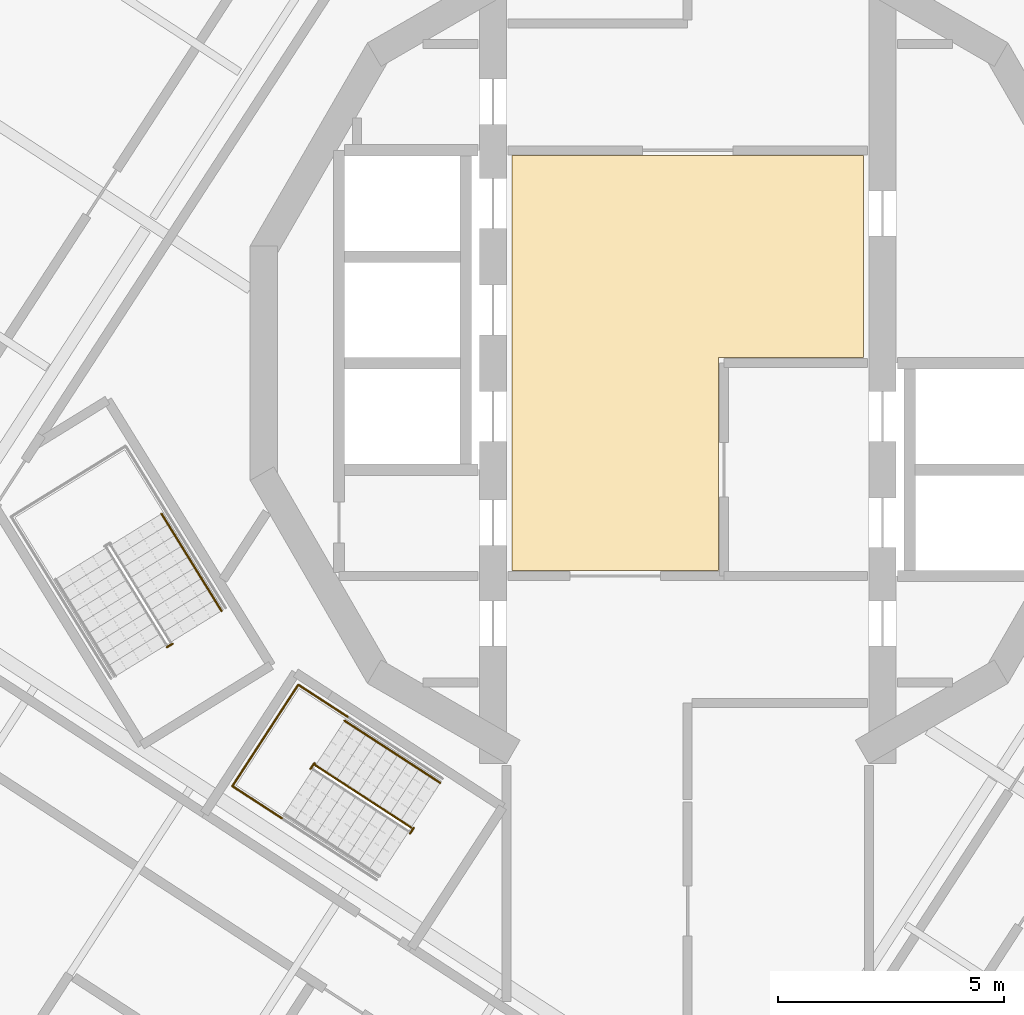
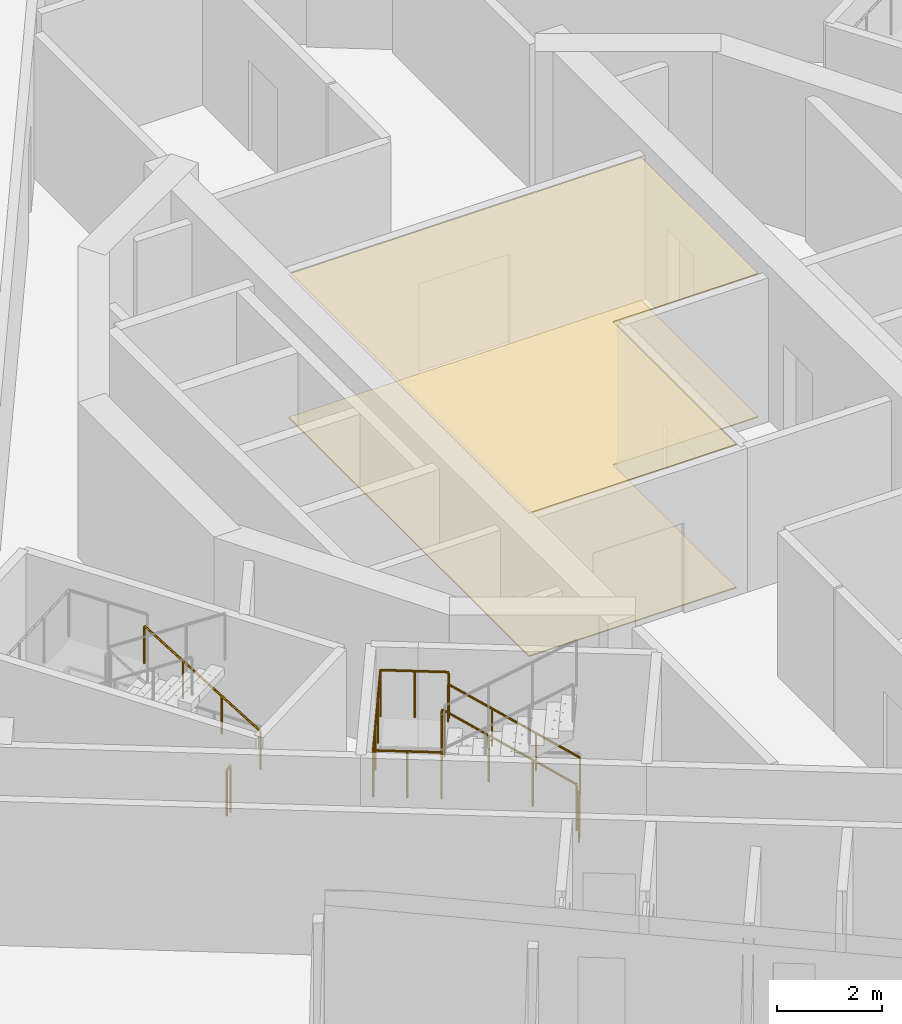
# One storey, part 12 of 15: 6 railings, 2 coverings.
"""IFC4 building model written with IfcOpenShell, lengths in metres."""

import ifcopenshell
import ifcopenshell.guid

model = None  # the IFC model being written
_history = None  # IfcOwnerHistory: only IFC2X3 demands one
_inside = {}  # id of a spatial element -> (the spatial element, [elements in it])
_under = {}  # id of a project, library or spatial element -> (it, [spatial elements below it])
_declared = {}  # id of a project -> (the project, [libraries it declares])
_typed = {}  # id of a type object -> (the type object, [elements of that type])
_made_of = {}  # id of a material, layer set ... -> (it, [elements and type objects made of it])


def new_model(schema):
    """Start an empty IFC model of exactly this schema.

    Asked for "IFC4X3", IfcOpenShell would pick the latest addendum, in which some entities
    have other attributes; the version numbers below select the first issue.
    IFC2X3 requires an IfcOwnerHistory on every rooted entity: one is made here for all.
    """
    global model, _history
    if schema == "IFC4X3":
        model = ifcopenshell.file(schema_version=(4, 3, 0, 0))
    else:
        model = ifcopenshell.file(schema=schema)
    _inside.clear()
    _under.clear()
    _declared.clear()
    _typed.clear()
    _made_of.clear()
    _history = None
    if model.schema == "IFC2X3":
        org = make("IfcOrganization", Name="unknown")
        user = make(
            "IfcPersonAndOrganization",
            ThePerson=make("IfcPerson", FamilyName="unknown"),
            TheOrganization=org,
        )
        app = make(
            "IfcApplication",
            ApplicationDeveloper=org,
            Version="unknown",
            ApplicationFullName="unknown",
            ApplicationIdentifier="unknown",
        )
        _history = make(
            "IfcOwnerHistory",
            OwningUser=user,
            OwningApplication=app,
            ChangeAction="ADDED",
            CreationDate=0,
        )
    return model


def make(cls, **values):
    """One entity of the class cls with the attributes given. An attribute that is None is left unset."""
    return model.create_entity(
        cls, **{name: value for name, value in values.items() if value is not None}
    )


def rooted(cls, **values):
    """An entity with a GlobalId (a new one), such as an element, a storey or a relation."""
    return make(cls, GlobalId=ifcopenshell.guid.new(), OwnerHistory=_history, **values)


def si_unit(unit_type, name, prefix=None):
    """IfcSIUnit, for example si_unit("LENGTHUNIT", "METRE", prefix="MILLI")."""
    return make("IfcSIUnit", UnitType=unit_type, Prefix=prefix, Name=name)


def assignment(units):
    """IfcUnitAssignment: the units of a project."""
    return None if units is None else make("IfcUnitAssignment", Units=units)


def point(xyz):
    """IfcCartesianPoint."""
    return None if xyz is None else make("IfcCartesianPoint", Coordinates=xyz)


def direction(xyz):
    """IfcDirection."""
    return None if xyz is None else make("IfcDirection", DirectionRatios=xyz)


def frame(location, z_axis=None, x_axis=None):
    """IfcAxis2Placement3D, a coordinate frame: its origin and axes. An axis left out is left unset."""
    return make(
        "IfcAxis2Placement3D",
        Location=point(location),
        Axis=direction(z_axis),
        RefDirection=direction(x_axis),
    )


def frame_2d(location, x_axis=None):
    """IfcAxis2Placement2D, a coordinate frame in the plane: its origin and x axis."""
    return make(
        "IfcAxis2Placement2D", Location=point(location), RefDirection=direction(x_axis)
    )


def origin():
    """The frame at (0, 0, 0) with its axes left unset."""
    return frame((0.0, 0.0, 0.0))


def origin_2d():
    """The frame at (0, 0) in the plane with its x axis left unset."""
    return frame_2d((0.0, 0.0))


def place(relative_to, where):
    """IfcLocalPlacement: puts the frame where relative to a parent placement (None: the world)."""
    return make(
        "IfcLocalPlacement", PlacementRelTo=relative_to, RelativePlacement=where
    )


def context(
    kind, dimensions, precision=None, world=None, true_north=None, identifier=None
):
    """IfcGeometricRepresentationContext, for example the 3D "Model" context."""
    return make(
        "IfcGeometricRepresentationContext",
        ContextIdentifier=identifier,
        ContextType=kind,
        CoordinateSpaceDimension=dimensions,
        Precision=precision,
        WorldCoordinateSystem=world,
        TrueNorth=true_north,
    )


def subcontext(parent, identifier, kind, view, scale=None):
    """IfcGeometricRepresentationSubContext, for example "Body" below "Model"."""
    return make(
        "IfcGeometricRepresentationSubContext",
        ContextIdentifier=identifier,
        ContextType=kind,
        ParentContext=parent,
        TargetScale=scale,
        TargetView=view,
    )


def project(units=None, contexts=None):
    """IfcProject with its units and contexts."""
    return rooted(
        "IfcProject",
        Name="project",
        RepresentationContexts=contexts,
        UnitsInContext=assignment(units),
    )


def spatial(cls, under=None, at=None, **own):
    """A site, building, storey or space (cls), placed at a placement, below another one or the project."""
    s = rooted(cls, ObjectPlacement=at, **own)
    if under is not None:
        _under.setdefault(under.id(), (under, []))[1].append(s)
    return s


def polyline(points):
    """IfcPolyline through the points."""
    return make("IfcPolyline", Points=[point(p) for p in points])


def profile(cls, at=None, kind="AREA", **sizes):
    """A parametric profile (cls). Its sizes go by their IFC names, for example OverallWidth=200.0."""
    return make(cls, ProfileType=kind, Position=at, **sizes)


def circle(**sizes):
    """IfcCircleProfileDef."""
    return profile("IfcCircleProfileDef", **sizes)


def outline(outer, holes=None, kind="AREA"):
    """IfcArbitraryClosedProfileDef: a profile drawn as a closed curve; with holes, ...WithVoids."""
    if holes is None:
        return make("IfcArbitraryClosedProfileDef", ProfileType=kind, OuterCurve=outer)
    return make(
        "IfcArbitraryProfileDefWithVoids",
        ProfileType=kind,
        OuterCurve=outer,
        InnerCurves=holes,
    )


def extrude(swept, where, along, depth):
    """IfcExtrudedAreaSolid: the profile swept, set in the frame where, extruded along a direction by depth."""
    return make(
        "IfcExtrudedAreaSolid",
        SweptArea=swept,
        Position=where,
        ExtrudedDirection=direction(along),
        Depth=depth,
    )


def shape(context_of_items, identifier, shape_type, items):
    """IfcShapeRepresentation: the items that make up one representation, for example the "Body"."""
    return make(
        "IfcShapeRepresentation",
        ContextOfItems=context_of_items,
        RepresentationIdentifier=identifier,
        RepresentationType=shape_type,
        Items=items,
    )


def material(Name=None, Category=None):
    """IfcMaterial."""
    return make("IfcMaterial", Name=Name, Category=Category)


def layer(
    of_material, thickness, ventilated=None, Name=None, Category=None, Priority=None
):
    """IfcMaterialLayer: one layer of a wall or slab, of a material (None: an air gap)."""
    return make(
        "IfcMaterialLayer",
        Material=of_material,
        LayerThickness=thickness,
        IsVentilated=ventilated,
        Name=Name,
        Category=Category,
        Priority=Priority,
    )


def layer_set(layers, Name=None):
    """IfcMaterialLayerSet."""
    return make("IfcMaterialLayerSet", MaterialLayers=layers, LayerSetName=Name)


def made_of(thing, what):
    """Note that an element or type object is made of a material, layer set ...; save() writes the relation."""
    if what is not None:
        _made_of.setdefault(what.id(), (what, []))[1].append(thing)
    return thing


def type_object(cls, material=None, **own):
    """A type object (cls), such as IfcWallType, which elements share."""
    return made_of(rooted(cls, **own), material)


def element(
    cls,
    number,
    at=None,
    inside=None,
    cuts=None,
    type_object=None,
    material=None,
    context=None,
    identifier="Body",
    shape_type=None,
    held_by="IfcProductDefinitionShape",
    body=None,
    shapes=None,
    **own,
):
    """One element of the class cls, such as IfcWall. Its Tag is "e" and its number.

    at: its placement. inside: the storey or other place that contains it. cuts: it is an
    opening in that element (IfcRelVoidsElement). A single representation is given by context,
    identifier, shape_type and body (its items); several are given by shapes. held_by: the class
    of the entity that holds the representations. save() writes the other relations.
    """
    e = rooted(cls, Tag="e%d" % number, ObjectPlacement=at, **own)
    if body is not None:
        shapes = [shape(context, identifier, shape_type, body)]
    if shapes is not None:
        e.Representation = make(held_by, Representations=shapes)
    if inside is not None:
        _inside.setdefault(inside.id(), (inside, []))[1].append(e)
    if cuts is not None:
        rooted(
            "IfcRelVoidsElement", RelatingBuildingElement=cuts, RelatedOpeningElement=e
        )
    if type_object is not None:
        _typed.setdefault(type_object.id(), (type_object, []))[1].append(e)
    return made_of(e, material)


def aggregate(whole, parts):
    """IfcRelAggregates: a whole, such as a stair, and the parts it consists of."""
    return rooted("IfcRelAggregates", RelatingObject=whole, RelatedObjects=parts)


def save(model, path):
    """Write the relations noted so far, then the file.

    IfcRelAggregates (storeys below a building ...), IfcRelContainedInSpatialStructure (elements
    in a storey), IfcRelDefinesByType, IfcRelAssociatesMaterial and IfcRelDeclares: one each for
    every whole, place, type object, material and project.
    """
    for whole, parts in _under.values():
        aggregate(whole, parts)
    for where, things in _inside.values():
        rooted(
            "IfcRelContainedInSpatialStructure",
            RelatedElements=things,
            RelatingStructure=where,
        )
    for kind, things in _typed.values():
        rooted("IfcRelDefinesByType", RelatedObjects=things, RelatingType=kind)
    for what, things in _made_of.values():
        rooted("IfcRelAssociatesMaterial", RelatedObjects=things, RelatingMaterial=what)
    for by, libraries in _declared.values():
        rooted("IfcRelDeclares", RelatingContext=by, RelatedDefinitions=libraries)
    model.write(path)


model = new_model("IFC4")

# Units and contexts
model_context = context("Model", 3, precision=1e-05, world=origin(), true_north=direction((0.0, 1.0)))
body_context = subcontext(model_context, "Body", "Model", "MODEL_VIEW")
ifc_project = project(units=[si_unit("LENGTHUNIT", "METRE"), si_unit("AREAUNIT", "SQUARE_METRE"), si_unit("VOLUMEUNIT", "CUBIC_METRE"), si_unit("PLANEANGLEUNIT", "RADIAN"), si_unit("MASSUNIT", "GRAM", prefix="KILO")], contexts=[model_context])

# Site, building, storey
site_placement = place(None, origin())
site = spatial("IfcSite", under=ifc_project, at=site_placement, CompositionType="ELEMENT")
building_placement = place(site_placement, origin())
building = spatial("IfcBuilding", under=site, at=building_placement, Name="Cantera Rosa Tower", CompositionType="ELEMENT")
storey_placement = place(building_placement, frame((0.0, 0.0, 272.10009765625)))
storey = spatial("IfcBuildingStorey", under=building, at=storey_placement, Name="L61", CompositionType="ELEMENT", Elevation=272.10009765625)

# Railings
ifc_material_1 = material(Name="Steel S355J2 (EN 10025-2)", Category="steel")
railing_type_1 = type_object("IfcRailingType", Name="STAIR GUARD 1100", PredefinedType="GUARDRAIL", material=ifc_material_1)
railing_1_placement = place(storey_placement, frame((-11.375, -6.19482421875, 0.0)))
element("IfcRailing", 1, at=railing_1_placement, inside=storey, type_object=railing_type_1, Name="L61 ST-52 stair guard 3", PredefinedType="GUARDRAIL", context=body_context, shape_type="SweptSolid", body=[
    extrude(circle(Radius=0.02392578125, at=origin_2d()), frame((0.0, 0.0, 1.076171875), z_axis=(-0.851546489876, -0.524279100842, 0.0), x_axis=(0.524279100842, -0.851546489876, 0.0)), (0.0, 0.0, 1.0), 0.14990234375),
    extrude(circle(Radius=0.02099609375, at=origin_2d()), origin(), (0.0, 0.0, 1.0), 1.052001953125),
    extrude(circle(Radius=0.02099609375, at=origin_2d()), frame((-0.127685546875, -0.07861328125, 0.0)), (0.0, 0.0, 1.0), 1.052001953125),
])
railing_2_placement = place(storey_placement, frame((-6.10400390625, -10.25341796875, 0.179931640625)))
element("IfcRailing", 2, at=railing_2_placement, inside=storey, type_object=railing_type_1, Name="L61 ST-53 stair guard 1", PredefinedType="GUARDRAIL", context=body_context, shape_type="SweptSolid", body=[
    extrude(circle(Radius=0.02392578125, at=origin_2d()), frame((0.0, 0.0, 1.076171875), z_axis=(-0.705493103535, 0.458158972863, 0.540712341684), x_axis=(-0.544644381691, -0.838667095749, 0.0)), (0.0, 0.0, 1.0), 2.995849609375),
    extrude(circle(Radius=0.02392578125, at=origin_2d()), frame((-2.113525390625, 1.37255859375, 2.69580078125), z_axis=(-0.49005532576, 0.871691331662, 0.0), x_axis=(-0.871691331662, -0.49005532576, 0.0)), (0.0, 0.0, 1.0), 0.056396484375),
    extrude(circle(Radius=0.02392578125, at=origin_2d()), frame((-2.14111328125, 1.421630859375, 2.69580078125), z_axis=(-0.545274379459, -0.838257628123, 0.0), x_axis=(0.838257628123, -0.545274379459, 0.0)), (0.0, 0.0, 1.0), 0.14990234375),
    extrude(circle(Radius=0.02099609375, at=origin_2d()), origin(), (0.0, 0.0, 1.0), 1.052001953125),
    extrude(circle(Radius=0.02099609375, at=origin_2d()), frame((-0.70458984375, 0.45751953125, 0.5400390625)), (0.0, 0.0, 1.0), 1.052001953125),
    extrude(circle(Radius=0.02099609375, at=origin_2d()), frame((-1.408935546875, 0.9150390625, 1.079833984375)), (0.0, 0.0, 1.0), 1.052001953125),
    extrude(circle(Radius=0.02099609375, at=origin_2d()), frame((-2.113525390625, 1.37255859375, 1.619873046875)), (0.0, 0.0, 1.0), 1.052001953125),
    extrude(circle(Radius=0.02099609375, at=origin_2d()), frame((-2.14111328125, 1.421630859375, 1.619873046875)), (0.0, 0.0, 1.0), 1.052001953125),
    extrude(circle(Radius=0.02099609375, at=origin_2d()), frame((-2.222900390625, 1.2958984375, 1.619873046875)), (0.0, 0.0, 1.0), 1.052001953125),
])
railing_3_placement = place(storey_placement, frame((-6.0478515625, -10.2587890625, 0.0)))
element("IfcRailing", 3, at=railing_3_placement, inside=storey, type_object=railing_type_1, Name="L61 ST-53 stair guard 3", PredefinedType="GUARDRAIL", context=body_context, shape_type="SweptSolid", body=[
    extrude(circle(Radius=0.02392578125, at=origin_2d()), frame((0.0, 0.0, 1.076171875), z_axis=(-0.545274379459, -0.838257628123, 0.0), x_axis=(0.838257628123, -0.545274379459, 0.0)), (0.0, 0.0, 1.0), 0.14990234375),
    extrude(circle(Radius=0.02099609375, at=origin_2d()), origin(), (0.0, 0.0, 1.0), 1.052001953125),
    extrude(circle(Radius=0.02099609375, at=origin_2d()), frame((-0.081787109375, -0.125732421875, 0.0)), (0.0, 0.0, 1.0), 1.052001953125),
])
railing_4_placement = place(storey_placement, frame((-7.507080078125, -7.808837890625, 1.7998046875)))
element("IfcRailing", 4, at=railing_4_placement, inside=storey, type_object=railing_type_1, Name="L61 ST-53 stair guard 5", PredefinedType="GUARDRAIL", context=body_context, shape_type="SweptSolid", body=[
    extrude(circle(Radius=0.02392578125, at=origin_2d()), frame((0.0, 0.0, 1.076171875), z_axis=(-0.838597818641, 0.544751042744, 0.0), x_axis=(-0.544751042744, -0.838597818641, 0.0)), (0.0, 0.0, 1.0), 1.302001953125),
    extrude(circle(Radius=0.02392578125, at=origin_2d()), frame((-1.091796875, 0.709228515625, 1.076171875), z_axis=(-0.544679779991, -0.838644106442, 0.0), x_axis=(0.838644106442, -0.544679779991, 0.0)), (0.0, 0.0, 1.0), 2.670166015625),
    extrude(circle(Radius=0.02392578125, at=origin_2d()), frame((-2.546142578125, -1.530029296875, 1.076171875), z_axis=(0.838653453326, -0.544665388311, 0.0), x_axis=(0.544665388311, 0.838653453326, 0.0)), (0.0, 0.0, 1.0), 1.30224609375),
    extrude(circle(Radius=0.02099609375, at=origin_2d()), origin(), (0.0, 0.0, 1.0), 1.052001953125),
    extrude(circle(Radius=0.02099609375, at=origin_2d()), frame((-0.5458984375, 0.3544921875, 0.0)), (0.0, 0.0, 1.0), 1.052001953125),
    extrude(circle(Radius=0.02099609375, at=origin_2d()), frame((-1.091796875, 0.709228515625, 0.0)), (0.0, 0.0, 1.0), 1.052001953125),
    extrude(circle(Radius=0.02099609375, at=origin_2d()), frame((-1.57666015625, -0.037109375, 0.0)), (0.0, 0.0, 1.0), 1.052001953125),
    extrude(circle(Radius=0.02099609375, at=origin_2d()), frame((-2.061279296875, -0.78369140625, 0.0)), (0.0, 0.0, 1.0), 1.052001953125),
    extrude(circle(Radius=0.02099609375, at=origin_2d()), frame((-2.546142578125, -1.530029296875, 0.0)), (0.0, 0.0, 1.0), 1.052001953125),
    extrude(circle(Radius=0.02099609375, at=origin_2d()), frame((-2.0, -1.884765625, 0.0)), (0.0, 0.0, 1.0), 1.052001953125),
    extrude(circle(Radius=0.02099609375, at=origin_2d()), frame((-1.4541015625, -2.2392578125, 0.0)), (0.0, 0.0, 1.0), 1.052001953125),
])
ifc_material_2 = material(Name="Steel S355J2 (EN 10025-2)", Category="steel")
railing_type_2 = type_object("IfcRailingType", Name="STAIR HANDRAIL 900", PredefinedType="HANDRAIL", material=ifc_material_2)
railing_5_placement = place(storey_placement, frame((-10.294677734375, -5.4697265625, 0.179931640625)))
element("IfcRailing", 5, at=railing_5_placement, inside=storey, type_object=railing_type_2, Name="L61 ST-52 stair handrail 1", PredefinedType="HANDRAIL", context=body_context, shape_type="SweptSolid", body=[
    extrude(circle(Radius=0.02392578125, at=origin_2d()), frame((0.0, 0.0, 0.8759765625), z_axis=(-0.441628529057, 0.715945124149, 0.540728047664), x_axis=(-0.851102330005, -0.524999832248, 0.0)), (0.0, 0.0, 1.0), 2.99560546875),
    extrude(circle(Radius=0.02099609375, at=origin_2d()), origin(), (0.0, 0.0, 1.0), 0.851806640625),
    extrude(circle(Radius=0.02099609375, at=origin_2d()), frame((-0.44091796875, 0.71484375, 0.5400390625)), (0.0, 0.0, 1.0), 0.851806640625),
    extrude(circle(Radius=0.02099609375, at=origin_2d()), frame((-0.882080078125, 1.429931640625, 1.079833984375)), (0.0, 0.0, 1.0), 0.851806640625),
    extrude(circle(Radius=0.02099609375, at=origin_2d()), frame((-1.322998046875, 2.144775390625, 1.619873046875)), (0.0, 0.0, 1.0), 0.851806640625),
])
railing_6_placement = place(storey_placement, frame((-5.463623046875, -9.26708984375, 0.179931640625)))
element("IfcRailing", 6, at=railing_6_placement, inside=storey, type_object=railing_type_2, Name="L61 ST-53 stair handrail 1", PredefinedType="HANDRAIL", context=body_context, shape_type="SweptSolid", body=[
    extrude(circle(Radius=0.02392578125, at=origin_2d()), frame((0.0, 0.0, 0.8759765625), z_axis=(-0.705452167267, 0.458185314739, 0.54074342997), x_axis=(-0.544688635705, -0.838638354795, 0.0)), (0.0, 0.0, 1.0), 2.99560546875),
    extrude(circle(Radius=0.02099609375, at=origin_2d()), origin(), (0.0, 0.0, 1.0), 0.851806640625),
    extrude(circle(Radius=0.02099609375, at=origin_2d()), frame((-0.704345703125, 0.45751953125, 0.5400390625)), (0.0, 0.0, 1.0), 0.851806640625),
    extrude(circle(Radius=0.02099609375, at=origin_2d()), frame((-1.408935546875, 0.9150390625, 1.079833984375)), (0.0, 0.0, 1.0), 0.851806640625),
    extrude(circle(Radius=0.02099609375, at=origin_2d()), frame((-2.11328125, 1.37255859375, 1.619873046875)), (0.0, 0.0, 1.0), 0.851806640625),
])

# Coverings
ifc_material_3 = material(Name="Limestone paving", Category="masonry")
ifc_layer_1 = layer(ifc_material_3, 0.02490234375)
ifc_layer_set_1 = layer_set([ifc_layer_1], Name="STONE FLOOR FINISH 25")
covering_type_1 = type_object("IfcCoveringType", Name="STONE FLOOR FINISH 25", PredefinedType="FLOORING", material=ifc_layer_set_1)
covering_1_placement = place(storey_placement, origin())
element("IfcCovering", 7, at=covering_1_placement, inside=storey, type_object=covering_type_1, Name="STONE FLOOR FINISH L61", PredefinedType="FLOORING", context=body_context, shape_type="SweptSolid", body=[
    extrude(outline(polyline([(3.8798828125, 4.580078125), (3.8798828125, 0.1201171875), (0.679931640625, 0.1201171875), (0.679931640625, -4.580078125), (-3.8798828125, -4.580078125), (-3.8798828125, 4.580078125), (3.8798828125, 4.580078125)])), origin(), (0.0, 0.0, 1.0), 0.02490234375),
])
ifc_material_4 = material(Name="Gypsum ceiling tile")
ifc_layer_2 = layer(ifc_material_4, 0.030029296875)
ifc_layer_set_2 = layer_set([ifc_layer_2], Name="SUSPENDED CEILING 30")
covering_type_2 = type_object("IfcCoveringType", Name="SUSPENDED CEILING 30", PredefinedType="CEILING", material=ifc_layer_set_2)
covering_2_placement = place(storey_placement, frame((0.0, 0.0, 3.31982421875)))
element("IfcCovering", 8, at=covering_2_placement, inside=storey, type_object=covering_type_2, Name="SUSPENDED CEILING L61", PredefinedType="CEILING", context=body_context, shape_type="SweptSolid", body=[
    extrude(outline(polyline([(3.8798828125, 4.580078125), (3.8798828125, 0.1201171875), (0.679931640625, 0.1201171875), (0.679931640625, -4.580078125), (-3.8798828125, -4.580078125), (-3.8798828125, 4.580078125), (3.8798828125, 4.580078125)])), origin(), (0.0, 0.0, 1.0), 0.030029296875),
])

save(model, "model.ifc")
